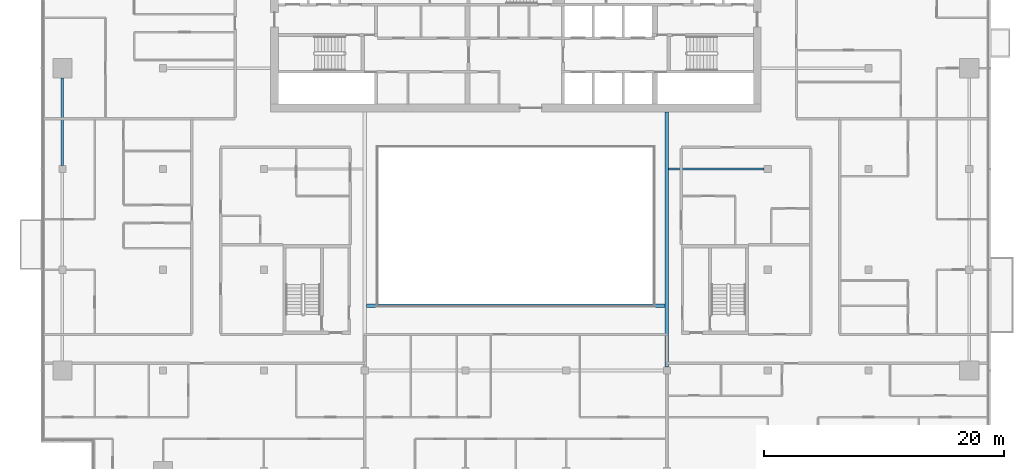
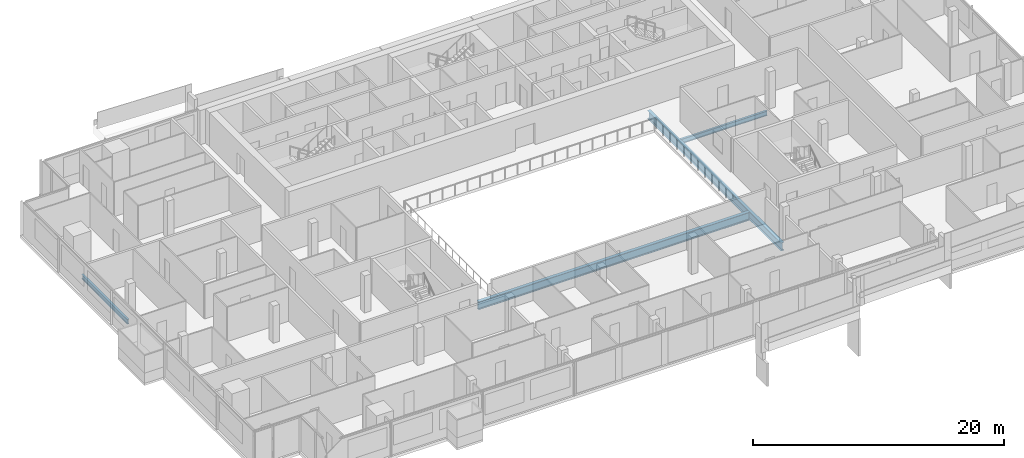
# One storey, part 7 of 27: 4 beams.
"""IFC4 building model written with IfcOpenShell, lengths in metres."""

from ifc_helpers import new_model, si_unit, direction, frame, origin, origin_2d, place, context, subcontext, project, spatial, i_section, extrude, material, material_profile, profile_set, type_object, element, save


model = new_model("IFC4")

# Units and contexts
model_context = context("Model", 3, precision=1e-05, world=origin(), true_north=direction((0.0, 1.0)))
body_context = subcontext(model_context, "Body", "Model", "MODEL_VIEW")
ifc_project = project(units=[si_unit("LENGTHUNIT", "METRE"), si_unit("AREAUNIT", "SQUARE_METRE"), si_unit("VOLUMEUNIT", "CUBIC_METRE"), si_unit("PLANEANGLEUNIT", "RADIAN"), si_unit("MASSUNIT", "GRAM", prefix="KILO")], contexts=[model_context])

# Site, building, storey
site_placement = place(None, origin())
site = spatial("IfcSite", under=ifc_project, at=site_placement, CompositionType="ELEMENT")
building_placement = place(site_placement, origin())
building = spatial("IfcBuilding", under=site, at=building_placement, Name="Saffron Gate Tower", CompositionType="ELEMENT")
storey_placement = place(building_placement, frame((0.0, 0.0, 234.300048828125)))
storey = spatial("IfcBuildingStorey", under=building, at=storey_placement, Name="L57", CompositionType="ELEMENT", Elevation=234.300048828125)

# Beams
ifc_material = material(Name="Structural steel S355", Category="steel")
ifc_material_profile_1 = material_profile(ifc_material, i_section(OverallWidth=0.300048828125, OverallDepth=0.7900390625, WebThickness=0.014892578125, FlangeThickness=0.028076171875, FilletRadius=0.030029296875, at=origin_2d()))
ifc_profile_set_1 = profile_set([ifc_material_profile_1], Name="Structural steel S355")
beam_type_1 = type_object("IfcBeamType", Name="B18 HEA 800", PredefinedType="BEAM", material=ifc_profile_set_1)
beam_1_placement = place(storey_placement, frame((100.199951171875, 40.5, -0.675048828125), z_axis=(0.0, 1.0, 0.0), x_axis=(-1.0, 0.0, 0.0)))
element("IfcBeam", 1, at=beam_1_placement, inside=storey, type_object=beam_type_1, Name="B18 ATRIUM GIRDER", PredefinedType="BEAM", context=body_context, shape_type="SweptSolid", body=[
    extrude(i_section(OverallWidth=0.300048828125, OverallDepth=0.7900390625, WebThickness=0.014892578125, FlangeThickness=0.028076171875, FilletRadius=0.030029296875, at=origin_2d()), origin(), (0.0, 0.0, 1.0), 21.25),
])
beam_2_placement = place(storey_placement, frame((75.14990234375, 45.60009765625, -0.675048828125), z_axis=(1.0, 0.0, 0.0), x_axis=(0.0, 1.0, 0.0)))
element("IfcBeam", 2, at=beam_2_placement, inside=storey, type_object=beam_type_1, Name="B18 ATRIUM GIRDER", PredefinedType="BEAM", context=body_context, shape_type="SweptSolid", body=[
    extrude(i_section(OverallWidth=0.300048828125, OverallDepth=0.7900390625, WebThickness=0.014892578125, FlangeThickness=0.028076171875, FilletRadius=0.030029296875, at=origin_2d()), origin(), (0.0, 0.0, 1.0), 24.900146484375),
])
ifc_material_profile_2 = material_profile(ifc_material, i_section(OverallWidth=0.18994140625, OverallDepth=0.449951171875, WebThickness=0.009521484375, FlangeThickness=0.0146484375, FilletRadius=0.02099609375, at=origin_2d()))
ifc_profile_set_2 = profile_set([ifc_material_profile_2], Name="Structural steel S355")
beam_type_2 = type_object("IfcBeamType", Name="B6 IPE 450", PredefinedType="BEAM", material=ifc_profile_set_2)
beam_3_placement = place(storey_placement, frame((108.300048828125, 57.0, -0.505126953125), z_axis=(-1.0, 0.0, 0.0), x_axis=(0.0, -1.0, 0.0)))
element("IfcBeam", 3, at=beam_3_placement, inside=storey, type_object=beam_type_2, Name="B6 CORE TIE BEAM", PredefinedType="BEAM", context=body_context, shape_type="SweptSolid", body=[
    extrude(i_section(OverallWidth=0.18994140625, OverallDepth=0.449951171875, WebThickness=0.009521484375, FlangeThickness=0.0146484375, FilletRadius=0.02099609375, at=origin_2d()), origin(), (0.0, 0.0, 1.0), 7.949951171875),
])
ifc_material_profile_3 = material_profile(ifc_material, i_section(OverallWidth=0.18994140625, OverallDepth=0.449951171875, WebThickness=0.009521484375, FlangeThickness=0.0146484375, FilletRadius=0.02099609375, at=origin_2d()))
ifc_profile_set_3 = profile_set([ifc_material_profile_3], Name="Structural steel S355")
beam_type_3 = type_object("IfcBeamType", Name="B7 IPE 450", PredefinedType="SPANDREL", material=ifc_profile_set_3)
beam_4_placement = place(storey_placement, frame((49.800048828125, 57.300048828125, -0.505126953125), z_axis=(0.0, 1.0, 0.0), x_axis=(-1.0, 0.0, 0.0)))
element("IfcBeam", 4, at=beam_4_placement, inside=storey, type_object=beam_type_3, Name="B7 SPANDREL BEAM", PredefinedType="SPANDREL", context=body_context, shape_type="SweptSolid", body=[
    extrude(i_section(OverallWidth=0.18994140625, OverallDepth=0.449951171875, WebThickness=0.009521484375, FlangeThickness=0.0146484375, FilletRadius=0.02099609375, at=origin_2d()), origin(), (0.0, 0.0, 1.0), 7.300048828125),
])

save(model, "model.ifc")
